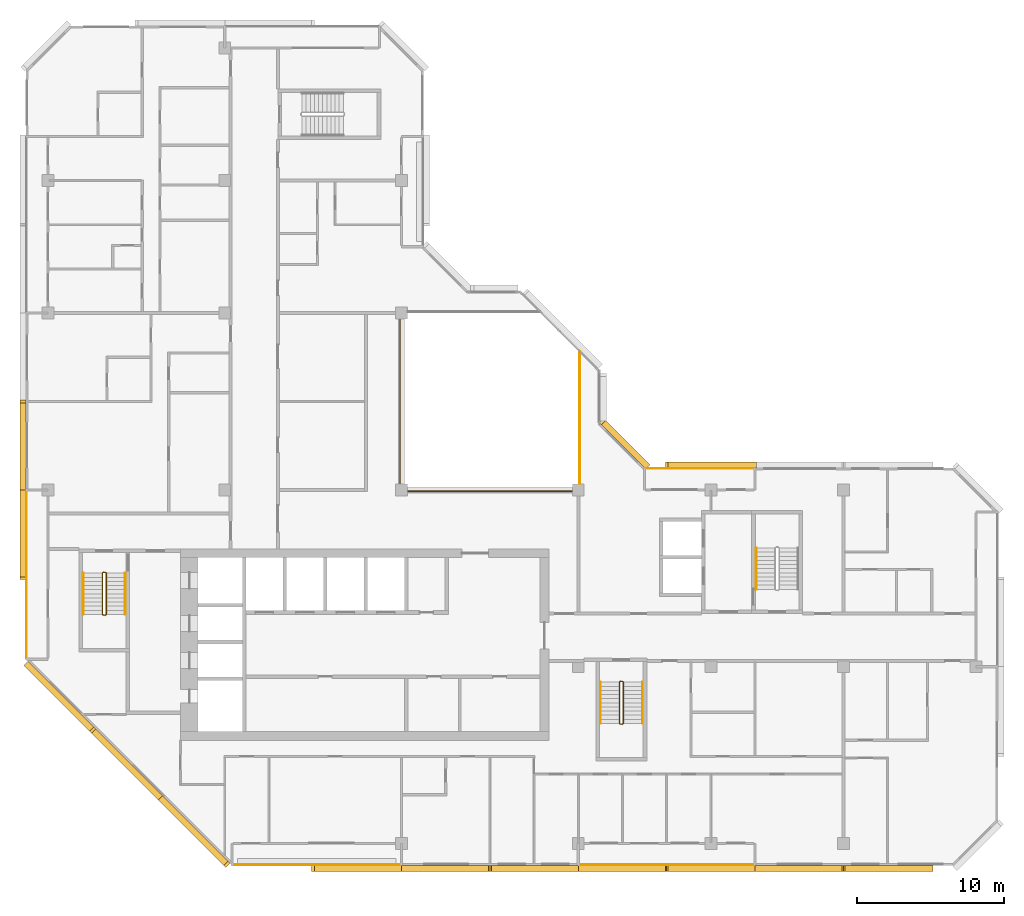
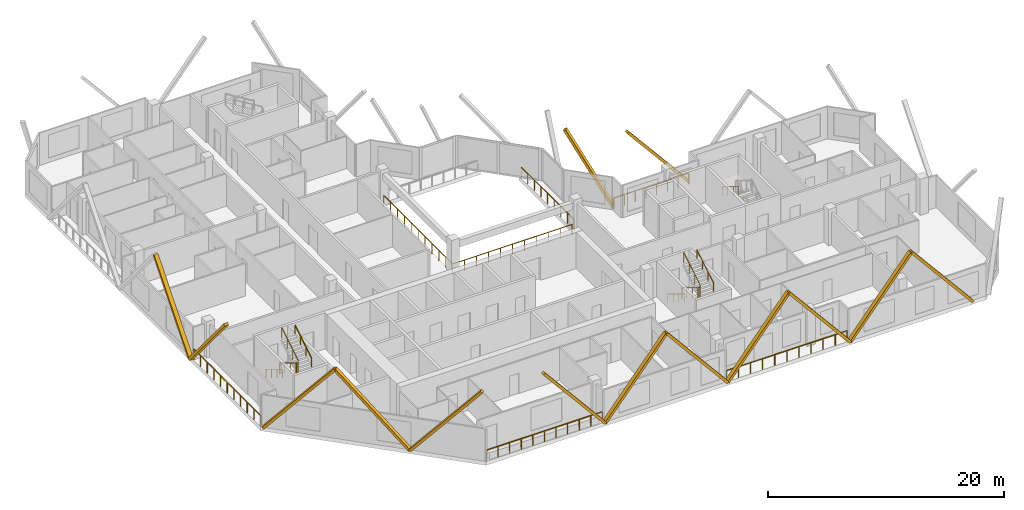
# One storey, part 12 of 13: 14 coverings, 13 railings.
"""IFC4 building model written with IfcOpenShell, lengths in metres."""

from ifc_helpers import new_model, si_unit, direction, frame, origin, origin_2d, place, context, subcontext, project, spatial, rectangle, extrude, material, material_profile, profile_set, type_object, element, save


model = new_model("IFC4")

# Units and contexts
model_context = context("Model", 3, precision=1e-05, world=origin(), true_north=direction((0.0, 1.0)))
body_context = subcontext(model_context, "Body", "Model", "MODEL_VIEW")
ifc_project = project(units=[si_unit("LENGTHUNIT", "METRE"), si_unit("AREAUNIT", "SQUARE_METRE"), si_unit("VOLUMEUNIT", "CUBIC_METRE"), si_unit("PLANEANGLEUNIT", "RADIAN"), si_unit("MASSUNIT", "GRAM", prefix="KILO")], contexts=[model_context])

# Site, building, storey
site_placement = place(None, origin())
site = spatial("IfcSite", under=ifc_project, at=site_placement, CompositionType="ELEMENT")
building_placement = place(site_placement, origin())
building = spatial("IfcBuilding", under=site, at=building_placement, Name="Chenar Terraces", CompositionType="ELEMENT")
storey_placement = place(building_placement, frame((0.0, 0.0, 295.89990234375)))
storey = spatial("IfcBuildingStorey", under=building, at=storey_placement, Name="L69", CompositionType="ELEMENT", Elevation=295.89990234375)

# Railings
ifc_material_1 = material(Name="Powder-coated steel", Category="steel")
railing_type_1 = type_object("IfcRailingType", Name="Guard 1100 steel rail with glass infill", PredefinedType="GUARDRAIL", material=ifc_material_1)
railing_1_placement = place(storey_placement, frame((23.89990234375, 35.60009765625, 0.0)))
element("IfcRailing", 1, at=railing_1_placement, inside=storey, type_object=railing_type_1, Name="Guard L69-1", PredefinedType="GUARDRAIL", context=body_context, shape_type="SweptSolid", body=[
    extrude(rectangle(XDim=0.06005859375, YDim=0.06005859375, at=origin_2d()), frame((0.0, 0.0, 1.070068359375), z_axis=(0.0, -1.0, 0.0), x_axis=(1.0, 0.0, 0.0)), (0.0, 0.0, 1.0), 11.7001953125),
    extrude(rectangle(XDim=0.06005859375, YDim=0.06005859375, at=origin_2d()), frame((0.0, -11.7001953125, 1.070068359375), z_axis=(1.0, 0.0, 0.0), x_axis=(0.0, 1.0, 0.0)), (0.0, 0.0, 1.0), 11.7001953125),
    extrude(rectangle(XDim=0.050048828125, YDim=0.050048828125, at=origin_2d()), origin(), (0.0, 0.0, 1.0), 1.0400390625),
    extrude(rectangle(XDim=0.050048828125, YDim=0.050048828125, at=origin_2d()), frame((0.0, -1.169921875, 0.0)), (0.0, 0.0, 1.0), 1.0400390625),
    extrude(rectangle(XDim=0.050048828125, YDim=0.050048828125, at=origin_2d()), frame((0.0, -2.340087890625, 0.0)), (0.0, 0.0, 1.0), 1.0400390625),
    extrude(rectangle(XDim=0.050048828125, YDim=0.050048828125, at=origin_2d()), frame((0.0, -3.510009765625, 0.0)), (0.0, 0.0, 1.0), 1.0400390625),
    extrude(rectangle(XDim=0.050048828125, YDim=0.050048828125, at=origin_2d()), frame((0.0, -4.68017578125, 0.0)), (0.0, 0.0, 1.0), 1.0400390625),
    extrude(rectangle(XDim=0.050048828125, YDim=0.050048828125, at=origin_2d()), frame((0.0, -5.85009765625, 0.0)), (0.0, 0.0, 1.0), 1.0400390625),
    extrude(rectangle(XDim=0.050048828125, YDim=0.050048828125, at=origin_2d()), frame((0.0, -7.02001953125, 0.0)), (0.0, 0.0, 1.0), 1.0400390625),
    extrude(rectangle(XDim=0.050048828125, YDim=0.050048828125, at=origin_2d()), frame((0.0, -8.190185546875, 0.0)), (0.0, 0.0, 1.0), 1.0400390625),
    extrude(rectangle(XDim=0.050048828125, YDim=0.050048828125, at=origin_2d()), frame((0.0, -9.360107421875, 0.0)), (0.0, 0.0, 1.0), 1.0400390625),
    extrude(rectangle(XDim=0.050048828125, YDim=0.050048828125, at=origin_2d()), frame((0.0, -10.5302734375, 0.0)), (0.0, 0.0, 1.0), 1.0400390625),
    extrude(rectangle(XDim=0.050048828125, YDim=0.050048828125, at=origin_2d()), frame((0.0, -11.7001953125, 0.0)), (0.0, 0.0, 1.0), 1.0400390625),
    extrude(rectangle(XDim=0.050048828125, YDim=0.050048828125, at=origin_2d()), frame((1.169921875, -11.7001953125, 0.0)), (0.0, 0.0, 1.0), 1.0400390625),
    extrude(rectangle(XDim=0.050048828125, YDim=0.050048828125, at=origin_2d()), frame((2.340087890625, -11.7001953125, 0.0)), (0.0, 0.0, 1.0), 1.0400390625),
    extrude(rectangle(XDim=0.050048828125, YDim=0.050048828125, at=origin_2d()), frame((3.510009765625, -11.7001953125, 0.0)), (0.0, 0.0, 1.0), 1.0400390625),
    extrude(rectangle(XDim=0.050048828125, YDim=0.050048828125, at=origin_2d()), frame((4.68017578125, -11.7001953125, 0.0)), (0.0, 0.0, 1.0), 1.0400390625),
    extrude(rectangle(XDim=0.050048828125, YDim=0.050048828125, at=origin_2d()), frame((5.85009765625, -11.7001953125, 0.0)), (0.0, 0.0, 1.0), 1.0400390625),
    extrude(rectangle(XDim=0.050048828125, YDim=0.050048828125, at=origin_2d()), frame((7.02001953125, -11.7001953125, 0.0)), (0.0, 0.0, 1.0), 1.0400390625),
    extrude(rectangle(XDim=0.050048828125, YDim=0.050048828125, at=origin_2d()), frame((8.190185546875, -11.7001953125, 0.0)), (0.0, 0.0, 1.0), 1.0400390625),
    extrude(rectangle(XDim=0.050048828125, YDim=0.050048828125, at=origin_2d()), frame((9.360107421875, -11.7001953125, 0.0)), (0.0, 0.0, 1.0), 1.0400390625),
    extrude(rectangle(XDim=0.050048828125, YDim=0.050048828125, at=origin_2d()), frame((10.5302734375, -11.7001953125, 0.0)), (0.0, 0.0, 1.0), 1.0400390625),
    extrude(rectangle(XDim=0.050048828125, YDim=0.050048828125, at=origin_2d()), frame((11.7001953125, -11.7001953125, 0.0)), (0.0, 0.0, 1.0), 1.0400390625),
])
railing_2_placement = place(storey_placement, frame((36.10009765625, 24.449951171875, 0.0)))
element("IfcRailing", 2, at=railing_2_placement, inside=storey, type_object=railing_type_1, Name="Guard L69-3", PredefinedType="GUARDRAIL", context=body_context, shape_type="SweptSolid", body=[
    extrude(rectangle(XDim=0.06005859375, YDim=0.06005859375, at=origin_2d()), frame((0.0, 0.0, 1.070068359375), z_axis=(0.0, 1.0, 0.0), x_axis=(-1.0, 0.0, 0.0)), (0.0, 0.0, 1.0), 8.949951171875),
    extrude(rectangle(XDim=0.050048828125, YDim=0.050048828125, at=origin_2d()), origin(), (0.0, 0.0, 1.0), 1.0400390625),
    extrude(rectangle(XDim=0.050048828125, YDim=0.050048828125, at=origin_2d()), frame((0.0, 1.11865234375, 0.0)), (0.0, 0.0, 1.0), 1.0400390625),
    extrude(rectangle(XDim=0.050048828125, YDim=0.050048828125, at=origin_2d()), frame((0.0, 2.237548828125, 0.0)), (0.0, 0.0, 1.0), 1.0400390625),
    extrude(rectangle(XDim=0.050048828125, YDim=0.050048828125, at=origin_2d()), frame((0.0, 3.356201171875, 0.0)), (0.0, 0.0, 1.0), 1.0400390625),
    extrude(rectangle(XDim=0.050048828125, YDim=0.050048828125, at=origin_2d()), frame((0.0, 4.47509765625, 0.0)), (0.0, 0.0, 1.0), 1.0400390625),
    extrude(rectangle(XDim=0.050048828125, YDim=0.050048828125, at=origin_2d()), frame((0.0, 5.59375, 0.0)), (0.0, 0.0, 1.0), 1.0400390625),
    extrude(rectangle(XDim=0.050048828125, YDim=0.050048828125, at=origin_2d()), frame((0.0, 6.71240234375, 0.0)), (0.0, 0.0, 1.0), 1.0400390625),
    extrude(rectangle(XDim=0.050048828125, YDim=0.050048828125, at=origin_2d()), frame((0.0, 7.831298828125, 0.0)), (0.0, 0.0, 1.0), 1.0400390625),
    extrude(rectangle(XDim=0.050048828125, YDim=0.050048828125, at=origin_2d()), frame((0.0, 8.949951171875, 0.0)), (0.0, 0.0, 1.0), 1.0400390625),
])
ifc_material_2 = material(Name="Stainless steel and glass", Category="steel")
railing_type_2 = type_object("IfcRailingType", Name="Loggia guard 1150", PredefinedType="GUARDRAIL", material=ifc_material_2)
railing_3_placement = place(storey_placement, frame((47.925048828125, 25.449951171875, 0.0)))
element("IfcRailing", 3, at=railing_3_placement, inside=storey, type_object=railing_type_2, Name="Loggia guard", PredefinedType="GUARDRAIL", context=body_context, shape_type="SweptSolid", body=[
    extrude(rectangle(XDim=0.048095703125, YDim=0.048095703125, at=origin_2d()), frame((0.0, 0.0, 1.1259765625), z_axis=(-1.0, 0.0, 0.0), x_axis=(0.0, -1.0, 0.0)), (0.0, 0.0, 1.0), 7.35009765625),
    extrude(rectangle(XDim=0.0419921875, YDim=0.0419921875, at=origin_2d()), origin(), (0.0, 0.0, 1.0), 1.101806640625),
    extrude(rectangle(XDim=0.0419921875, YDim=0.0419921875, at=origin_2d()), frame((-1.050048828125, 0.0, 0.0)), (0.0, 0.0, 1.0), 1.101806640625),
    extrude(rectangle(XDim=0.0419921875, YDim=0.0419921875, at=origin_2d()), frame((-2.10009765625, 0.0, 0.0)), (0.0, 0.0, 1.0), 1.101806640625),
    extrude(rectangle(XDim=0.0419921875, YDim=0.0419921875, at=origin_2d()), frame((-3.150146484375, 0.0, 0.0)), (0.0, 0.0, 1.0), 1.101806640625),
    extrude(rectangle(XDim=0.0419921875, YDim=0.0419921875, at=origin_2d()), frame((-4.199951171875, 0.0, 0.0)), (0.0, 0.0, 1.0), 1.101806640625),
    extrude(rectangle(XDim=0.0419921875, YDim=0.0419921875, at=origin_2d()), frame((-5.25, 0.0, 0.0)), (0.0, 0.0, 1.0), 1.101806640625),
    extrude(rectangle(XDim=0.0419921875, YDim=0.0419921875, at=origin_2d()), frame((-6.300048828125, 0.0, 0.0)), (0.0, 0.0, 1.0), 1.101806640625),
    extrude(rectangle(XDim=0.0419921875, YDim=0.0419921875, at=origin_2d()), frame((-7.35009765625, 0.0, 0.0)), (0.0, 0.0, 1.0), 1.101806640625),
])
railing_4_placement = place(storey_placement, frame((12.574951171875, -1.449951171875, 0.0)))
element("IfcRailing", 4, at=railing_4_placement, inside=storey, type_object=railing_type_2, Name="Loggia guard", PredefinedType="GUARDRAIL", context=body_context, shape_type="SweptSolid", body=[
    extrude(rectangle(XDim=0.048095703125, YDim=0.048095703125, at=origin_2d()), frame((0.0, 0.0, 1.1259765625), z_axis=(1.0, 0.0, 0.0), x_axis=(0.0, 1.0, 0.0)), (0.0, 0.0, 1.0), 11.35009765625),
    extrude(rectangle(XDim=0.0419921875, YDim=0.0419921875, at=origin_2d()), origin(), (0.0, 0.0, 1.0), 1.101806640625),
    extrude(rectangle(XDim=0.0419921875, YDim=0.0419921875, at=origin_2d()), frame((1.135009765625, 0.0, 0.0)), (0.0, 0.0, 1.0), 1.101806640625),
    extrude(rectangle(XDim=0.0419921875, YDim=0.0419921875, at=origin_2d()), frame((2.27001953125, 0.0, 0.0)), (0.0, 0.0, 1.0), 1.101806640625),
    extrude(rectangle(XDim=0.0419921875, YDim=0.0419921875, at=origin_2d()), frame((3.405029296875, 0.0, 0.0)), (0.0, 0.0, 1.0), 1.101806640625),
    extrude(rectangle(XDim=0.0419921875, YDim=0.0419921875, at=origin_2d()), frame((4.5400390625, 0.0, 0.0)), (0.0, 0.0, 1.0), 1.101806640625),
    extrude(rectangle(XDim=0.0419921875, YDim=0.0419921875, at=origin_2d()), frame((5.675048828125, 0.0, 0.0)), (0.0, 0.0, 1.0), 1.101806640625),
    extrude(rectangle(XDim=0.0419921875, YDim=0.0419921875, at=origin_2d()), frame((6.81005859375, 0.0, 0.0)), (0.0, 0.0, 1.0), 1.101806640625),
    extrude(rectangle(XDim=0.0419921875, YDim=0.0419921875, at=origin_2d()), frame((7.945068359375, 0.0, 0.0)), (0.0, 0.0, 1.0), 1.101806640625),
    extrude(rectangle(XDim=0.0419921875, YDim=0.0419921875, at=origin_2d()), frame((9.080078125, 0.0, 0.0)), (0.0, 0.0, 1.0), 1.101806640625),
    extrude(rectangle(XDim=0.0419921875, YDim=0.0419921875, at=origin_2d()), frame((10.215087890625, 0.0, 0.0)), (0.0, 0.0, 1.0), 1.101806640625),
    extrude(rectangle(XDim=0.0419921875, YDim=0.0419921875, at=origin_2d()), frame((11.35009765625, 0.0, 0.0)), (0.0, 0.0, 1.0), 1.101806640625),
])
railing_5_placement = place(storey_placement, frame((36.074951171875, -1.449951171875, 0.0)))
element("IfcRailing", 5, at=railing_5_placement, inside=storey, type_object=railing_type_2, Name="Loggia guard", PredefinedType="GUARDRAIL", context=body_context, shape_type="SweptSolid", body=[
    extrude(rectangle(XDim=0.048095703125, YDim=0.048095703125, at=origin_2d()), frame((0.0, 0.0, 1.1259765625), z_axis=(1.0, 0.0, 0.0), x_axis=(0.0, 1.0, 0.0)), (0.0, 0.0, 1.0), 11.85009765625),
    extrude(rectangle(XDim=0.0419921875, YDim=0.0419921875, at=origin_2d()), origin(), (0.0, 0.0, 1.0), 1.101806640625),
    extrude(rectangle(XDim=0.0419921875, YDim=0.0419921875, at=origin_2d()), frame((1.18505859375, 0.0, 0.0)), (0.0, 0.0, 1.0), 1.101806640625),
    extrude(rectangle(XDim=0.0419921875, YDim=0.0419921875, at=origin_2d()), frame((2.3701171875, 0.0, 0.0)), (0.0, 0.0, 1.0), 1.101806640625),
    extrude(rectangle(XDim=0.0419921875, YDim=0.0419921875, at=origin_2d()), frame((3.554931640625, 0.0, 0.0)), (0.0, 0.0, 1.0), 1.101806640625),
    extrude(rectangle(XDim=0.0419921875, YDim=0.0419921875, at=origin_2d()), frame((4.739990234375, 0.0, 0.0)), (0.0, 0.0, 1.0), 1.101806640625),
    extrude(rectangle(XDim=0.0419921875, YDim=0.0419921875, at=origin_2d()), frame((5.925048828125, 0.0, 0.0)), (0.0, 0.0, 1.0), 1.101806640625),
    extrude(rectangle(XDim=0.0419921875, YDim=0.0419921875, at=origin_2d()), frame((7.110107421875, 0.0, 0.0)), (0.0, 0.0, 1.0), 1.101806640625),
    extrude(rectangle(XDim=0.0419921875, YDim=0.0419921875, at=origin_2d()), frame((8.295166015625, 0.0, 0.0)), (0.0, 0.0, 1.0), 1.101806640625),
    extrude(rectangle(XDim=0.0419921875, YDim=0.0419921875, at=origin_2d()), frame((9.47998046875, 0.0, 0.0)), (0.0, 0.0, 1.0), 1.101806640625),
    extrude(rectangle(XDim=0.0419921875, YDim=0.0419921875, at=origin_2d()), frame((10.6650390625, 0.0, 0.0)), (0.0, 0.0, 1.0), 1.101806640625),
    extrude(rectangle(XDim=0.0419921875, YDim=0.0419921875, at=origin_2d()), frame((11.85009765625, 0.0, 0.0)), (0.0, 0.0, 1.0), 1.101806640625),
])
railing_6_placement = place(storey_placement, frame((-1.449951171875, 23.925048828125, 0.0)))
element("IfcRailing", 6, at=railing_6_placement, inside=storey, type_object=railing_type_2, Name="Loggia guard", PredefinedType="GUARDRAIL", context=body_context, shape_type="SweptSolid", body=[
    extrude(rectangle(XDim=0.048095703125, YDim=0.048095703125, at=origin_2d()), frame((0.0, 0.0, 1.1259765625), z_axis=(0.0, -1.0, 0.0), x_axis=(1.0, 0.0, 0.0)), (0.0, 0.0, 1.0), 11.35009765625),
    extrude(rectangle(XDim=0.0419921875, YDim=0.0419921875, at=origin_2d()), origin(), (0.0, 0.0, 1.0), 1.101806640625),
    extrude(rectangle(XDim=0.0419921875, YDim=0.0419921875, at=origin_2d()), frame((0.0, -1.135009765625, 0.0)), (0.0, 0.0, 1.0), 1.101806640625),
    extrude(rectangle(XDim=0.0419921875, YDim=0.0419921875, at=origin_2d()), frame((0.0, -2.27001953125, 0.0)), (0.0, 0.0, 1.0), 1.101806640625),
    extrude(rectangle(XDim=0.0419921875, YDim=0.0419921875, at=origin_2d()), frame((0.0, -3.405029296875, 0.0)), (0.0, 0.0, 1.0), 1.101806640625),
    extrude(rectangle(XDim=0.0419921875, YDim=0.0419921875, at=origin_2d()), frame((0.0, -4.5400390625, 0.0)), (0.0, 0.0, 1.0), 1.101806640625),
    extrude(rectangle(XDim=0.0419921875, YDim=0.0419921875, at=origin_2d()), frame((0.0, -5.675048828125, 0.0)), (0.0, 0.0, 1.0), 1.101806640625),
    extrude(rectangle(XDim=0.0419921875, YDim=0.0419921875, at=origin_2d()), frame((0.0, -6.81005859375, 0.0)), (0.0, 0.0, 1.0), 1.101806640625),
    extrude(rectangle(XDim=0.0419921875, YDim=0.0419921875, at=origin_2d()), frame((0.0, -7.945068359375, 0.0)), (0.0, 0.0, 1.0), 1.101806640625),
    extrude(rectangle(XDim=0.0419921875, YDim=0.0419921875, at=origin_2d()), frame((0.0, -9.080078125, 0.0)), (0.0, 0.0, 1.0), 1.101806640625),
    extrude(rectangle(XDim=0.0419921875, YDim=0.0419921875, at=origin_2d()), frame((0.0, -10.215087890625, 0.0)), (0.0, 0.0, 1.0), 1.101806640625),
    extrude(rectangle(XDim=0.0419921875, YDim=0.0419921875, at=origin_2d()), frame((0.0, -11.35009765625, 0.0)), (0.0, 0.0, 1.0), 1.101806640625),
])
ifc_material_3 = material(Name="Powder-coated steel", Category="steel")
railing_type_3 = type_object("IfcRailingType", Name="Stair guard 1100", PredefinedType="GUARDRAIL", material=ifc_material_3)
railing_7_placement = place(storey_placement, frame((3.949951171875, 18.35009765625, 3.75)))
element("IfcRailing", 7, at=railing_7_placement, inside=storey, type_object=railing_type_3, Name="L69 ST1 stair guard 1", PredefinedType="GUARDRAIL", context=body_context, shape_type="SweptSolid", body=[
    extrude(rectangle(XDim=0.048095703125, YDim=0.048095703125, at=origin_2d()), frame((0.0, 0.0, 1.076171875), z_axis=(0.0, -0.854202870247, -0.519939858505), x_axis=(1.0, 0.0, 0.0)), (0.0, 0.0, 1.0), 3.278076171875),
    extrude(rectangle(XDim=0.048095703125, YDim=0.048095703125, at=origin_2d()), frame((0.0, -2.800048828125, -0.62841796875), z_axis=(-0.270899902878, -0.270899902878, -0.923702595667), x_axis=(0.707106781187, -0.707106781187, 0.0)), (0.0, 0.0, 1.0), 0.184814453125),
    extrude(rectangle(XDim=0.048095703125, YDim=0.048095703125, at=origin_2d()), frame((-0.050048828125, -2.85009765625, -0.798828125), z_axis=(-1.0, 0.0, 0.0), x_axis=(0.0, -1.0, 0.0)), (0.0, 0.0, 1.0), 0.14990234375),
    extrude(rectangle(XDim=0.048095703125, YDim=0.048095703125, at=origin_2d()), frame((-0.199951171875, -2.85009765625, -0.798828125), z_axis=(-0.707106781187, 0.707106781187, 0.0), x_axis=(-0.707106781187, -0.707106781187, 0.0)), (0.0, 0.0, 1.0), 0.07080078125),
    extrude(rectangle(XDim=0.048095703125, YDim=0.048095703125, at=origin_2d()), frame((-0.25, -2.800048828125, -0.798828125), z_axis=(0.0, 0.854202870247, -0.519939858505), x_axis=(-1.0, 0.0, 0.0)), (0.0, 0.0, 1.0), 3.278076171875),
    extrude(rectangle(XDim=0.048095703125, YDim=0.048095703125, at=origin_2d()), frame((-0.25, 0.0, -2.50341796875), z_axis=(0.270996696079, 0.269674760976, -0.924032636873), x_axis=(-0.705375805398, 0.708833529934, 0.0)), (0.0, 0.0, 1.0), 0.1845703125),
    extrude(rectangle(XDim=0.048095703125, YDim=0.048095703125, at=origin_2d()), frame((-0.199951171875, 0.0498046875, -2.673828125), z_axis=(1.0, 0.0, 0.0), x_axis=(0.0, 1.0, 0.0)), (0.0, 0.0, 1.0), 0.14990234375),
    extrude(rectangle(XDim=0.0419921875, YDim=0.0419921875, at=origin_2d()), origin(), (0.0, 0.0, 1.0), 1.052001953125),
    extrude(rectangle(XDim=0.0419921875, YDim=0.0419921875, at=origin_2d()), frame((0.0, -0.933349609375, -0.568115234375)), (0.0, 0.0, 1.0), 1.052001953125),
    extrude(rectangle(XDim=0.0419921875, YDim=0.0419921875, at=origin_2d()), frame((0.0, -1.86669921875, -1.13623046875)), (0.0, 0.0, 1.0), 1.052001953125),
    extrude(rectangle(XDim=0.0419921875, YDim=0.0419921875, at=origin_2d()), frame((0.0, -2.800048828125, -1.704345703125)), (0.0, 0.0, 1.0), 1.052001953125),
    extrude(rectangle(XDim=0.0419921875, YDim=0.0419921875, at=origin_2d()), frame((-0.050048828125, -2.85009765625, -1.875)), (0.0, 0.0, 1.0), 1.052001953125),
    extrude(rectangle(XDim=0.0419921875, YDim=0.0419921875, at=origin_2d()), frame((-0.199951171875, -2.85009765625, -1.875)), (0.0, 0.0, 1.0), 1.052001953125),
    extrude(rectangle(XDim=0.0419921875, YDim=0.0419921875, at=origin_2d()), frame((-0.25, -2.800048828125, -1.875)), (0.0, 0.0, 1.0), 1.052001953125),
    extrude(rectangle(XDim=0.0419921875, YDim=0.0419921875, at=origin_2d()), frame((-0.25, -1.86669921875, -2.443115234375)), (0.0, 0.0, 1.0), 1.052001953125),
    extrude(rectangle(XDim=0.0419921875, YDim=0.0419921875, at=origin_2d()), frame((-0.25, -0.933349609375, -3.01123046875)), (0.0, 0.0, 1.0), 1.052001953125),
    extrude(rectangle(XDim=0.0419921875, YDim=0.0419921875, at=origin_2d()), frame((-0.25, 0.0, -3.579345703125)), (0.0, 0.0, 1.0), 1.052001953125),
    extrude(rectangle(XDim=0.0419921875, YDim=0.0419921875, at=origin_2d()), frame((-0.199951171875, 0.0498046875, -3.75)), (0.0, 0.0, 1.0), 1.052001953125),
    extrude(rectangle(XDim=0.0419921875, YDim=0.0419921875, at=origin_2d()), frame((-0.050048828125, 0.0498046875, -3.75)), (0.0, 0.0, 1.0), 1.052001953125),
])
railing_8_placement = place(storey_placement, frame((39.050048828125, 10.949951171875, 3.75)))
element("IfcRailing", 8, at=railing_8_placement, inside=storey, type_object=railing_type_3, Name="L69 ST2 stair guard 1", PredefinedType="GUARDRAIL", context=body_context, shape_type="SweptSolid", body=[
    extrude(rectangle(XDim=0.048095703125, YDim=0.048095703125, at=origin_2d()), frame((0.0, 0.0, 1.076171875), z_axis=(0.0, -0.854202870247, -0.519939858505), x_axis=(1.0, 0.0, 0.0)), (0.0, 0.0, 1.0), 3.278076171875),
    extrude(rectangle(XDim=0.048095703125, YDim=0.048095703125, at=origin_2d()), frame((0.0, -2.800048828125, -0.62841796875), z_axis=(-0.270996696079, -0.269674760976, -0.924032636873), x_axis=(0.705375805398, -0.708833529934, 0.0)), (0.0, 0.0, 1.0), 0.1845703125),
    extrude(rectangle(XDim=0.048095703125, YDim=0.048095703125, at=origin_2d()), frame((-0.050048828125, -2.849853515625, -0.798828125), z_axis=(-1.0, 0.0, 0.0), x_axis=(0.0, -1.0, 0.0)), (0.0, 0.0, 1.0), 0.14990234375),
    extrude(rectangle(XDim=0.048095703125, YDim=0.048095703125, at=origin_2d()), frame((-0.199951171875, -2.849853515625, -0.798828125), z_axis=(-0.708833529934, 0.705375805398, 0.0), x_axis=(-0.705375805398, -0.708833529934, 0.0)), (0.0, 0.0, 1.0), 0.070556640625),
    extrude(rectangle(XDim=0.048095703125, YDim=0.048095703125, at=origin_2d()), frame((-0.25, -2.800048828125, -0.798828125), z_axis=(0.0, 0.854202870247, -0.519939858505), x_axis=(-1.0, 0.0, 0.0)), (0.0, 0.0, 1.0), 3.278076171875),
    extrude(rectangle(XDim=0.048095703125, YDim=0.048095703125, at=origin_2d()), frame((-0.25, 0.0, -2.50341796875), z_axis=(0.270899902878, 0.270899902878, -0.923702595667), x_axis=(-0.707106781187, 0.707106781187, 0.0)), (0.0, 0.0, 1.0), 0.184814453125),
    extrude(rectangle(XDim=0.048095703125, YDim=0.048095703125, at=origin_2d()), frame((-0.199951171875, 0.050048828125, -2.673828125), z_axis=(1.0, 0.0, 0.0), x_axis=(0.0, 1.0, 0.0)), (0.0, 0.0, 1.0), 0.14990234375),
    extrude(rectangle(XDim=0.0419921875, YDim=0.0419921875, at=origin_2d()), origin(), (0.0, 0.0, 1.0), 1.052001953125),
    extrude(rectangle(XDim=0.0419921875, YDim=0.0419921875, at=origin_2d()), frame((0.0, -0.933349609375, -0.568115234375)), (0.0, 0.0, 1.0), 1.052001953125),
    extrude(rectangle(XDim=0.0419921875, YDim=0.0419921875, at=origin_2d()), frame((0.0, -1.86669921875, -1.13623046875)), (0.0, 0.0, 1.0), 1.052001953125),
    extrude(rectangle(XDim=0.0419921875, YDim=0.0419921875, at=origin_2d()), frame((0.0, -2.800048828125, -1.704345703125)), (0.0, 0.0, 1.0), 1.052001953125),
    extrude(rectangle(XDim=0.0419921875, YDim=0.0419921875, at=origin_2d()), frame((-0.050048828125, -2.849853515625, -1.875)), (0.0, 0.0, 1.0), 1.052001953125),
    extrude(rectangle(XDim=0.0419921875, YDim=0.0419921875, at=origin_2d()), frame((-0.199951171875, -2.849853515625, -1.875)), (0.0, 0.0, 1.0), 1.052001953125),
    extrude(rectangle(XDim=0.0419921875, YDim=0.0419921875, at=origin_2d()), frame((-0.25, -2.800048828125, -1.875)), (0.0, 0.0, 1.0), 1.052001953125),
    extrude(rectangle(XDim=0.0419921875, YDim=0.0419921875, at=origin_2d()), frame((-0.25, -1.86669921875, -2.443115234375)), (0.0, 0.0, 1.0), 1.052001953125),
    extrude(rectangle(XDim=0.0419921875, YDim=0.0419921875, at=origin_2d()), frame((-0.25, -0.933349609375, -3.01123046875)), (0.0, 0.0, 1.0), 1.052001953125),
    extrude(rectangle(XDim=0.0419921875, YDim=0.0419921875, at=origin_2d()), frame((-0.25, 0.0, -3.579345703125)), (0.0, 0.0, 1.0), 1.052001953125),
    extrude(rectangle(XDim=0.0419921875, YDim=0.0419921875, at=origin_2d()), frame((-0.199951171875, 0.050048828125, -3.75)), (0.0, 0.0, 1.0), 1.052001953125),
    extrude(rectangle(XDim=0.0419921875, YDim=0.0419921875, at=origin_2d()), frame((-0.050048828125, 0.050048828125, -3.75)), (0.0, 0.0, 1.0), 1.052001953125),
])
ifc_material_4 = material(Name="Powder-coated steel", Category="steel")
railing_type_4 = type_object("IfcRailingType", Name="Stair handrail 900", PredefinedType="HANDRAIL", material=ifc_material_4)
railing_9_placement = place(storey_placement, frame((2.39990234375, 18.35009765625, 0.170654296875)))
element("IfcRailing", 9, at=railing_9_placement, inside=storey, type_object=railing_type_4, Name="L69 ST1 stair handrail 1", PredefinedType="HANDRAIL", context=body_context, shape_type="SweptSolid", body=[
    extrude(rectangle(XDim=0.048095703125, YDim=0.048095703125, at=origin_2d()), frame((0.0, 0.0, 0.8759765625), z_axis=(0.0, -0.854202870247, 0.519939858505), x_axis=(1.0, 0.0, 0.0)), (0.0, 0.0, 1.0), 3.278076171875),
    extrude(rectangle(XDim=0.0419921875, YDim=0.0419921875, at=origin_2d()), origin(), (0.0, 0.0, 1.0), 0.851806640625),
    extrude(rectangle(XDim=0.0419921875, YDim=0.0419921875, at=origin_2d()), frame((0.0, -0.933349609375, 0.568115234375)), (0.0, 0.0, 1.0), 0.851806640625),
    extrude(rectangle(XDim=0.0419921875, YDim=0.0419921875, at=origin_2d()), frame((0.0, -1.86669921875, 1.13623046875)), (0.0, 0.0, 1.0), 0.851806640625),
    extrude(rectangle(XDim=0.0419921875, YDim=0.0419921875, at=origin_2d()), frame((0.0, -2.800048828125, 1.704345703125)), (0.0, 0.0, 1.0), 0.851806640625),
])
railing_10_placement = place(storey_placement, frame((5.25, 15.550048828125, 2.045654296875)))
element("IfcRailing", 10, at=railing_10_placement, inside=storey, type_object=railing_type_4, Name="L69 ST1 stair handrail 2", PredefinedType="HANDRAIL", context=body_context, shape_type="SweptSolid", body=[
    extrude(rectangle(XDim=0.048095703125, YDim=0.048095703125, at=origin_2d()), frame((0.0, 0.0, 0.8759765625), z_axis=(0.0, 0.854202870247, 0.519939858505), x_axis=(-1.0, 0.0, 0.0)), (0.0, 0.0, 1.0), 3.278076171875),
    extrude(rectangle(XDim=0.0419921875, YDim=0.0419921875, at=origin_2d()), origin(), (0.0, 0.0, 1.0), 0.851806640625),
    extrude(rectangle(XDim=0.0419921875, YDim=0.0419921875, at=origin_2d()), frame((0.0, 0.933349609375, 0.568115234375)), (0.0, 0.0, 1.0), 0.851806640625),
    extrude(rectangle(XDim=0.0419921875, YDim=0.0419921875, at=origin_2d()), frame((0.0, 1.86669921875, 1.13623046875)), (0.0, 0.0, 1.0), 0.851806640625),
    extrude(rectangle(XDim=0.0419921875, YDim=0.0419921875, at=origin_2d()), frame((0.0, 2.800048828125, 1.704345703125)), (0.0, 0.0, 1.0), 0.851806640625),
])
railing_11_placement = place(storey_placement, frame((37.5, 10.949951171875, 0.170654296875)))
element("IfcRailing", 11, at=railing_11_placement, inside=storey, type_object=railing_type_4, Name="L69 ST2 stair handrail 1", PredefinedType="HANDRAIL", context=body_context, shape_type="SweptSolid", body=[
    extrude(rectangle(XDim=0.048095703125, YDim=0.048095703125, at=origin_2d()), frame((0.0, 0.0, 0.8759765625), z_axis=(0.0, -0.854202870247, 0.519939858505), x_axis=(1.0, 0.0, 0.0)), (0.0, 0.0, 1.0), 3.278076171875),
    extrude(rectangle(XDim=0.0419921875, YDim=0.0419921875, at=origin_2d()), origin(), (0.0, 0.0, 1.0), 0.851806640625),
    extrude(rectangle(XDim=0.0419921875, YDim=0.0419921875, at=origin_2d()), frame((0.0, -0.933349609375, 0.568115234375)), (0.0, 0.0, 1.0), 0.851806640625),
    extrude(rectangle(XDim=0.0419921875, YDim=0.0419921875, at=origin_2d()), frame((0.0, -1.86669921875, 1.13623046875)), (0.0, 0.0, 1.0), 0.851806640625),
    extrude(rectangle(XDim=0.0419921875, YDim=0.0419921875, at=origin_2d()), frame((0.0, -2.800048828125, 1.704345703125)), (0.0, 0.0, 1.0), 0.851806640625),
])
railing_12_placement = place(storey_placement, frame((40.35009765625, 8.14990234375, 2.045654296875)))
element("IfcRailing", 12, at=railing_12_placement, inside=storey, type_object=railing_type_4, Name="L69 ST2 stair handrail 2", PredefinedType="HANDRAIL", context=body_context, shape_type="SweptSolid", body=[
    extrude(rectangle(XDim=0.048095703125, YDim=0.048095703125, at=origin_2d()), frame((0.0, 0.0, 0.8759765625), z_axis=(0.0, 0.854202870247, 0.519939858505), x_axis=(-1.0, 0.0, 0.0)), (0.0, 0.0, 1.0), 3.278076171875),
    extrude(rectangle(XDim=0.0419921875, YDim=0.0419921875, at=origin_2d()), origin(), (0.0, 0.0, 1.0), 0.851806640625),
    extrude(rectangle(XDim=0.0419921875, YDim=0.0419921875, at=origin_2d()), frame((0.0, 0.933349609375, 0.568115234375)), (0.0, 0.0, 1.0), 0.851806640625),
    extrude(rectangle(XDim=0.0419921875, YDim=0.0419921875, at=origin_2d()), frame((0.0, 1.86669921875, 1.13623046875)), (0.0, 0.0, 1.0), 0.851806640625),
    extrude(rectangle(XDim=0.0419921875, YDim=0.0419921875, at=origin_2d()), frame((0.0, 2.800048828125, 1.704345703125)), (0.0, 0.0, 1.0), 0.851806640625),
])
railing_13_placement = place(storey_placement, frame((48.074951171875, 20.050048828125, 2.045654296875)))
element("IfcRailing", 13, at=railing_13_placement, inside=storey, type_object=railing_type_4, Name="L69 ST3 stair handrail 2", PredefinedType="HANDRAIL", context=body_context, shape_type="SweptSolid", body=[
    extrude(rectangle(XDim=0.048095703125, YDim=0.048095703125, at=origin_2d()), frame((0.0, 0.0, 0.8759765625), z_axis=(0.0, -0.854202870247, 0.519939858505), x_axis=(1.0, 0.0, 0.0)), (0.0, 0.0, 1.0), 3.278076171875),
    extrude(rectangle(XDim=0.0419921875, YDim=0.0419921875, at=origin_2d()), origin(), (0.0, 0.0, 1.0), 0.851806640625),
    extrude(rectangle(XDim=0.0419921875, YDim=0.0419921875, at=origin_2d()), frame((0.0, -0.933349609375, 0.568115234375)), (0.0, 0.0, 1.0), 0.851806640625),
    extrude(rectangle(XDim=0.0419921875, YDim=0.0419921875, at=origin_2d()), frame((0.0, -1.86669921875, 1.13623046875)), (0.0, 0.0, 1.0), 0.851806640625),
    extrude(rectangle(XDim=0.0419921875, YDim=0.0419921875, at=origin_2d()), frame((0.0, -2.800048828125, 1.704345703125)), (0.0, 0.0, 1.0), 0.851806640625),
])

# Coverings
ifc_material_5 = material(Name="Terracotta", Category="masonry")
ifc_material_profile = material_profile(ifc_material_5, rectangle(XDim=0.39990234375, YDim=0.25, at=origin_2d()), Name="Terracotta baguette 400 x 250")
ifc_profile_set = profile_set([ifc_material_profile], Name="Terracotta")
covering_type = type_object("IfcCoveringType", Name="Terracotta baguette 400 x 250", PredefinedType="CLADDING", material=ifc_profile_set)
covering_1_placement = place(storey_placement, frame((48.0, 25.699951171875, 0.150146484375), z_axis=(-0.640186961885, 0.0, 0.768219144407), x_axis=(0.0, -1.0, 0.0)))
element("IfcCovering", 14, at=covering_1_placement, inside=storey, type_object=covering_type, Name="Terracotta baguette", PredefinedType="CLADDING", context=body_context, shape_type="SweptSolid", body=[
    extrude(rectangle(XDim=0.39990234375, YDim=0.25, at=origin_2d()), origin(), (0.0, 0.0, 1.0), 9.372314453125),
])
covering_2_placement = place(storey_placement, frame((40.641357421875, 25.641357421875, 0.150146484375), z_axis=(-0.358980886355, 0.358980886355, 0.861548284464), x_axis=(-0.707106781187, -0.707106781187, 0.0)))
element("IfcCovering", 15, at=covering_2_placement, inside=storey, type_object=covering_type, Name="Terracotta baguette", PredefinedType="CLADDING", context=body_context, shape_type="SweptSolid", body=[
    extrude(rectangle(XDim=0.39990234375, YDim=0.25, at=origin_2d()), origin(), (0.0, 0.0, 1.0), 8.35693359375),
])
for number, where, z_axis, x_axis, name in (
    (16, (-1.699951171875, 30.0, 7.35009765625), (0.0, -0.640186961885, -0.768219144407), (1.0, 0.0, 0.0), "Terracotta baguette"),
    (17, (-1.699951171875, 24.0, 0.150146484375), (0.0, -0.640186961885, 0.768219144407), (1.0, 0.0, 0.0), "Terracotta baguette"),
):
    element("IfcCovering", number, at=place(storey_placement, frame(where, z_axis=z_axis, x_axis=x_axis)), inside=storey, type_object=covering_type, Name=name, PredefinedType="CLADDING", context=body_context, shape_type="SweptSolid", body=[
        extrude(rectangle(XDim=0.39990234375, YDim=0.25, at=origin_2d()), origin(), (0.0, 0.0, 1.0), 9.372314453125),
    ])
covering_3_placement = place(storey_placement, frame((-1.42919921875, 12.146484375, 0.150146484375), z_axis=(0.465604048687, -0.46562956823, 0.752596821038), x_axis=(0.707126158488, 0.707087403354, 0.0)))
element("IfcCovering", 18, at=covering_3_placement, inside=storey, type_object=covering_type, Name="Terracotta baguette", PredefinedType="CLADDING", context=body_context, shape_type="SweptSolid", body=[
    extrude(rectangle(XDim=0.39990234375, YDim=0.25, at=origin_2d()), origin(), (0.0, 0.0, 1.0), 9.56689453125),
])
covering_4_placement = place(storey_placement, frame((3.025146484375, 7.69189453125, 7.35009765625), z_axis=(0.477802509271, -0.477802509271, -0.73716315987), x_axis=(0.707106781187, 0.707106781187, 0.0)))
element("IfcCovering", 19, at=covering_4_placement, inside=storey, type_object=covering_type, Name="Terracotta baguette", PredefinedType="CLADDING", context=body_context, shape_type="SweptSolid", body=[
    extrude(rectangle(XDim=0.39990234375, YDim=0.25, at=origin_2d()), origin(), (0.0, 0.0, 1.0), 9.76708984375),
])
covering_5_placement = place(storey_placement, frame((7.69189453125, 3.025146484375, 0.150146484375), z_axis=(0.46562956823, -0.465604048687, 0.752596821038), x_axis=(0.707087403354, 0.707126158488, 0.0)))
element("IfcCovering", 20, at=covering_5_placement, inside=storey, type_object=covering_type, Name="Terracotta baguette", PredefinedType="CLADDING", context=body_context, shape_type="SweptSolid", body=[
    extrude(rectangle(XDim=0.39990234375, YDim=0.25, at=origin_2d()), origin(), (0.0, 0.0, 1.0), 9.56689453125),
])
for number, where, z_axis, x_axis, name in (
    (21, (18.0, -1.699951171875, 7.35009765625), (0.640186961885, 0.0, -0.768219144407), (0.0, 1.0, 0.0), "Terracotta baguette"),
    (22, (24.0, -1.699951171875, 0.150146484375), (0.640186961885, 0.0, 0.768219144407), (0.0, 1.0, 0.0), "Terracotta baguette"),
    (23, (30.0, -1.699951171875, 7.35009765625), (0.640186961885, 0.0, -0.768219144407), (0.0, 1.0, 0.0), "Terracotta baguette"),
    (24, (36.0, -1.699951171875, 0.150146484375), (0.640186961885, 0.0, 0.768219144407), (0.0, 1.0, 0.0), "Terracotta baguette"),
    (25, (42.0, -1.699951171875, 7.35009765625), (0.640186961885, 0.0, -0.768219144407), (0.0, 1.0, 0.0), "Terracotta baguette"),
    (26, (48.0, -1.699951171875, 0.150146484375), (0.640186961885, 0.0, 0.768219144407), (0.0, 1.0, 0.0), "Terracotta baguette"),
    (27, (54.0, -1.699951171875, 7.35009765625), (0.640186961885, 0.0, -0.768219144407), (0.0, 1.0, 0.0), "Terracotta baguette"),
):
    element("IfcCovering", number, at=place(storey_placement, frame(where, z_axis=z_axis, x_axis=x_axis)), inside=storey, type_object=covering_type, Name=name, PredefinedType="CLADDING", context=body_context, shape_type="SweptSolid", body=[
        extrude(rectangle(XDim=0.39990234375, YDim=0.25, at=origin_2d()), origin(), (0.0, 0.0, 1.0), 9.372314453125),
    ])

save(model, "model.ifc")
